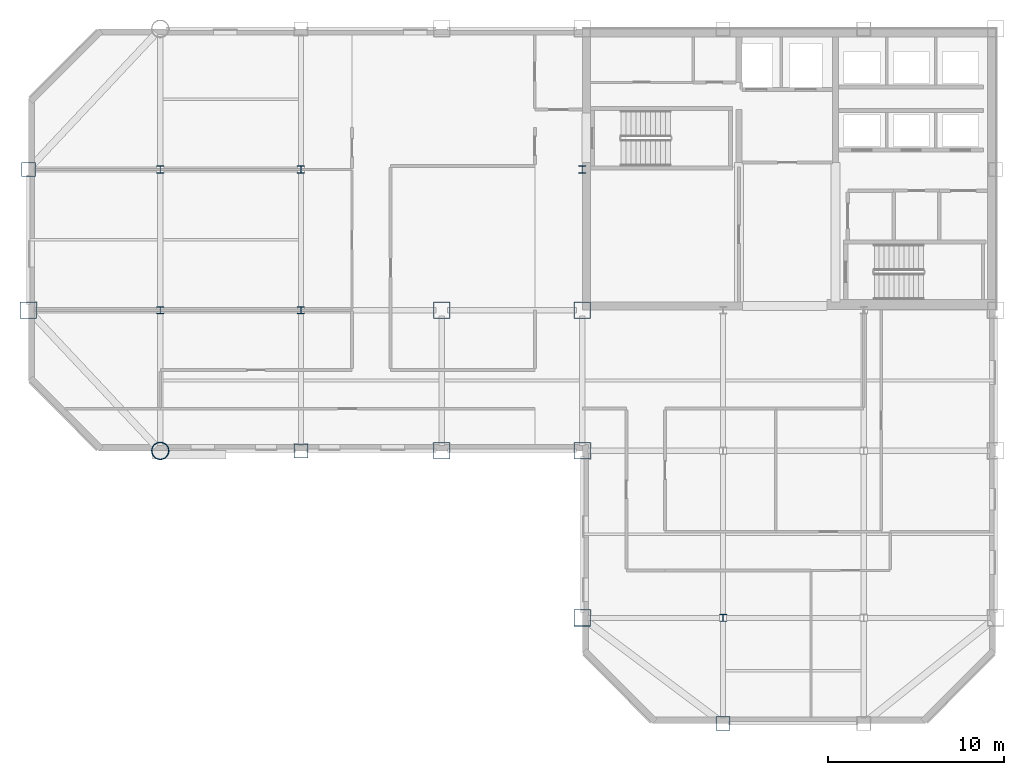
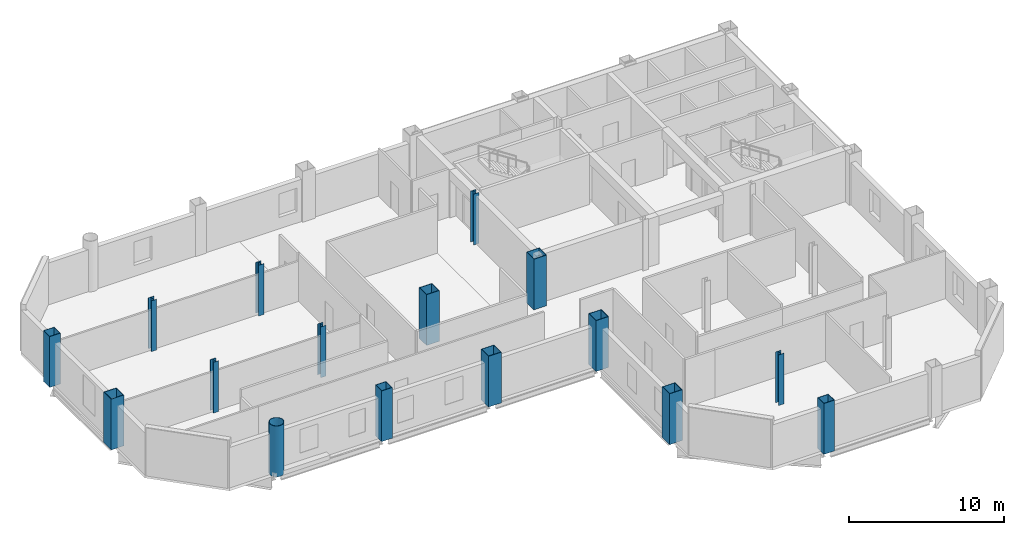
# One storey, part 1 of 10: 16 columns.
"""IFC4 building model written with IfcOpenShell, lengths in metres."""

from ifc_helpers import new_model, si_unit, direction, frame, origin, origin_2d, place, context, subcontext, project, spatial, hollow_rectangle, hollow_circle, i_section, extrude, material, material_profile, profile_set, type_object, element, save


model = new_model("IFC4")

# Units and contexts
model_context = context("Model", 3, precision=1e-05, world=origin(), true_north=direction((0.0, 1.0)))
body_context = subcontext(model_context, "Body", "Model", "MODEL_VIEW")
ifc_project = project(units=[si_unit("LENGTHUNIT", "METRE"), si_unit("AREAUNIT", "SQUARE_METRE"), si_unit("VOLUMEUNIT", "CUBIC_METRE"), si_unit("PLANEANGLEUNIT", "RADIAN"), si_unit("MASSUNIT", "GRAM", prefix="KILO")], contexts=[model_context])

# Site, building, storey
site_placement = place(None, origin())
site = spatial("IfcSite", under=ifc_project, at=site_placement, CompositionType="ELEMENT")
building_placement = place(site_placement, origin())
building = spatial("IfcBuilding", under=site, at=building_placement, Name="Qianrong Seaharbour Tower", CompositionType="ELEMENT")
storey_placement = place(building_placement, frame((0.0, 0.0, 241.800048828125)))
storey = spatial("IfcBuildingStorey", under=building, at=storey_placement, Name="L58", CompositionType="ELEMENT", Elevation=241.800048828125)

# Columns
ifc_material = material(Name="Structural steel SN490B", Category="steel")
ifc_material_profile_1 = material_profile(ifc_material, hollow_rectangle(XDim=0.949951171875, YDim=0.949951171875, WallThickness=0.035888671875, at=origin_2d()), Name="BOX950x950x36")
ifc_profile_set_1 = profile_set([ifc_material_profile_1], Name="Structural steel SN490B")
column_type_1 = type_object("IfcColumnType", Name="COL-CFT-950", PredefinedType="COLUMN", material=ifc_profile_set_1)
for number, where, z_axis, x_axis, name in (
    (1, (9.0, 36.0, 0.0), (0.0, 0.0, 1.0), (1.0, 0.0, 0.0), "L58 Column MC-4 at G2/GF"),
    (2, (32.5, 28.0, 0.0), (0.0, 0.0, 1.0), (1.0, 0.0, 0.0), "L58 Column MC-4 at G5/GE"),
    (3, (32.5, 36.0, 0.0), (0.0, 0.0, 1.0), (1.0, 0.0, 0.0), "L58 Column MC-4 at G5/GF"),
    (4, (40.5, 18.5, 0.0), (0.0, 0.0, 1.0), (1.0, 0.0, 0.0), "L58 Column MC-4 at G6/GD"),
    (5, (40.5, 28.0, 0.0), (0.0, 0.0, 1.0), (1.0, 0.0, 0.0), "L58 Column MC-4 at G6/GE"),
    (6, (40.5, 36.0, 0.0), (0.0, 0.0, 1.0), (1.0, 0.0, 0.0), "L58 Column MC-4 at G6/GF"),
):
    element("IfcColumn", number, at=place(storey_placement, frame(where, z_axis=z_axis, x_axis=x_axis)), inside=storey, type_object=column_type_1, Name=name, PredefinedType="COLUMN", context=body_context, shape_type="SweptSolid", body=[
        extrude(hollow_rectangle(XDim=0.949951171875, YDim=0.949951171875, WallThickness=0.035888671875, at=origin_2d()), origin(), (0.0, 0.0, 1.0), 4.0),
    ])
ifc_material_profile_2 = material_profile(ifc_material, hollow_circle(Radius=0.5, WallThickness=0.035888671875, at=origin_2d()), Name="CHS1000x36")
ifc_profile_set_2 = profile_set([ifc_material_profile_2], Name="Structural steel SN490B")
column_type_2 = type_object("IfcColumnType", Name="COL-CHS-1000", PredefinedType="COLUMN", material=ifc_profile_set_2)
column_placement = place(storey_placement, frame((16.5, 28.0, 0.0), z_axis=(0.0, 0.0, 1.0), x_axis=(1.0, 0.0, 0.0)))
element("IfcColumn", 7, at=column_placement, inside=storey, type_object=column_type_2, Name="L58 Column CC-2 at G3/GE", PredefinedType="COLUMN", context=body_context, shape_type="SweptSolid", body=[
    extrude(hollow_circle(Radius=0.5, WallThickness=0.035888671875, at=origin_2d()), origin(), (0.0, 0.0, 1.0), 4.0),
])
ifc_material_profile_3 = material_profile(ifc_material, i_section(OverallWidth=0.39990234375, OverallDepth=0.39990234375, WebThickness=0.012939453125, FlangeThickness=0.02099609375, FilletRadius=0.02197265625, at=origin_2d()), Name="H400x400x13x21")
ifc_profile_set_3 = profile_set([ifc_material_profile_3], Name="Structural steel SN490B")
column_type_3 = type_object("IfcColumnType", Name="COL-INT-H400", PredefinedType="COLUMN", material=ifc_profile_set_3)
for number, where, z_axis, x_axis, name in (
    (8, (16.5, 36.0, 0.0), (0.0, 0.0, 1.0), (1.0, 0.0, 0.0), "L58 Column IC-3 at G3/GF"),
    (9, (16.5, 44.0, 0.0), (0.0, 0.0, 1.0), (1.0, 0.0, 0.0), "L58 Column IC-3 at G3/GG"),
    (10, (24.5, 36.0, 0.0), (0.0, 0.0, 1.0), (1.0, 0.0, 0.0), "L58 Column IC-3 at G4/GF"),
    (11, (24.5, 44.0, 0.0), (0.0, 0.0, 1.0), (1.0, 0.0, 0.0), "L58 Column IC-3 at G4/GG"),
    (12, (40.5, 44.0, 0.0), (0.0, 0.0, 1.0), (1.0, 0.0, 0.0), "L58 Column IC-3 at G6/GG"),
    (13, (48.5, 18.5, 0.0), (0.0, 0.0, 1.0), (1.0, 0.0, 0.0), "L58 Column IC-3 at G7/GD"),
):
    element("IfcColumn", number, at=place(storey_placement, frame(where, z_axis=z_axis, x_axis=x_axis)), inside=storey, type_object=column_type_3, Name=name, PredefinedType="COLUMN", context=body_context, shape_type="SweptSolid", body=[
        extrude(i_section(OverallWidth=0.39990234375, OverallDepth=0.39990234375, WebThickness=0.012939453125, FlangeThickness=0.02099609375, FilletRadius=0.02197265625, at=origin_2d()), origin(), (0.0, 0.0, 1.0), 4.0),
    ])
ifc_material_profile_4 = material_profile(ifc_material, hollow_rectangle(XDim=0.800048828125, YDim=0.800048828125, WallThickness=0.031982421875, at=origin_2d()), Name="BOX800x800x32")
ifc_profile_set_4 = profile_set([ifc_material_profile_4], Name="Structural steel SN490B")
column_type_4 = type_object("IfcColumnType", Name="COL-PER-800", PredefinedType="COLUMN", material=ifc_profile_set_4)
for number, where, z_axis, x_axis, name in (
    (14, (9.0, 44.0, 0.0), (0.0, 0.0, 1.0), (1.0, 0.0, 0.0), "L58 Column PC-3 at G2/GG"),
    (15, (24.5, 28.0, 0.0), (0.0, 0.0, 1.0), (1.0, 0.0, 0.0), "L58 Column PC-3 at G4/GE"),
    (16, (48.5, 12.5, 0.0), (0.0, 0.0, 1.0), (1.0, 0.0, 0.0), "L58 Column PC-3 at G7/GC"),
):
    element("IfcColumn", number, at=place(storey_placement, frame(where, z_axis=z_axis, x_axis=x_axis)), inside=storey, type_object=column_type_4, Name=name, PredefinedType="COLUMN", context=body_context, shape_type="SweptSolid", body=[
        extrude(hollow_rectangle(XDim=0.800048828125, YDim=0.800048828125, WallThickness=0.031982421875, at=origin_2d()), origin(), (0.0, 0.0, 1.0), 4.0),
    ])

save(model, "model.ifc")
